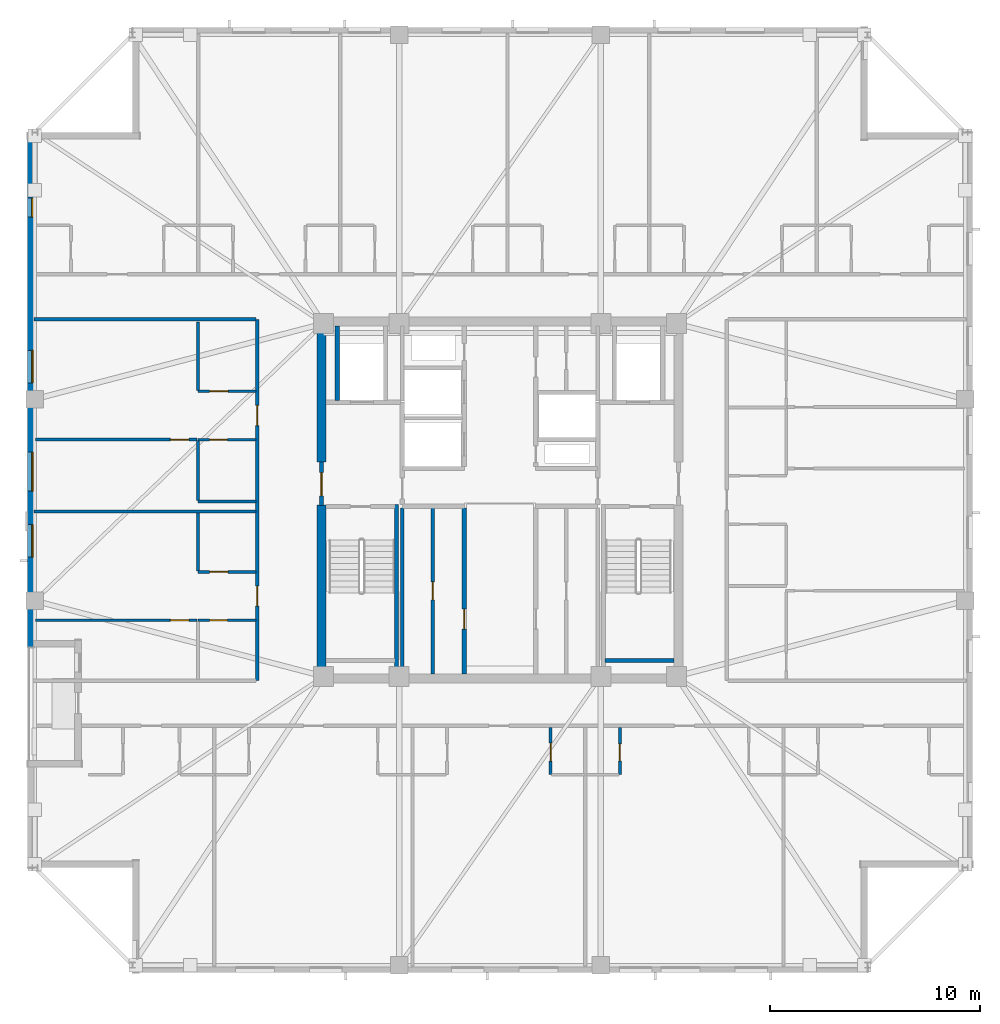
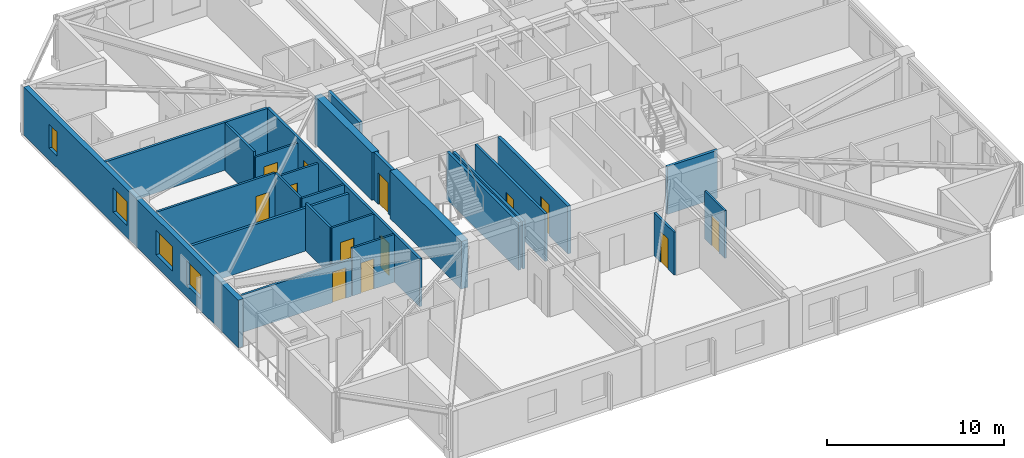
# One storey, part 8 of 17: 25 walls, 13 doors, 4 windows, 17 openings.
"""IFC4 building model written with IfcOpenShell, lengths in metres."""

from ifc_helpers import new_model, si_unit, direction, frame, frame_2d, origin, place, context, subcontext, project, spatial, rectangle, extrude, material, layer, layer_set, type_object, element, fill, save


model = new_model("IFC4")

# Units and contexts
model_context = context("Model", 3, precision=1e-05, world=origin(), true_north=direction((0.0, 1.0)))
body_context = subcontext(model_context, "Body", "Model", "MODEL_VIEW")
ifc_project = project(units=[si_unit("LENGTHUNIT", "METRE"), si_unit("AREAUNIT", "SQUARE_METRE"), si_unit("VOLUMEUNIT", "CUBIC_METRE"), si_unit("PLANEANGLEUNIT", "RADIAN"), si_unit("MASSUNIT", "GRAM", prefix="KILO")], contexts=[model_context])

# Site, building, storey
site_placement = place(None, origin())
site = spatial("IfcSite", under=ifc_project, at=site_placement, CompositionType="ELEMENT")
building_placement = place(site_placement, origin())
building = spatial("IfcBuilding", under=site, at=building_placement, Name="Cairnveth Concourse Tower", CompositionType="ELEMENT")
storey_placement = place(building_placement, frame((0.0, 0.0, 248.0)))
storey = spatial("IfcBuildingStorey", under=building, at=storey_placement, Name="L68", CompositionType="ELEMENT", Elevation=248.0)

# Wall
ifc_material_1 = material(Name="Gypsum Plasterboard Partition", Category="gypsum")
ifc_layer_1 = layer(ifc_material_1, 0.159912109375)
ifc_layer_set_1 = layer_set([ifc_layer_1], Name="Gypsum Plasterboard Partition")
wall_type_1 = type_object("IfcWallType", Name="ACOUSTIC PARTY WALL 180", PredefinedType="PARTITIONING", material=ifc_layer_set_1)
wall_1_placement = place(storey_placement, frame((47.35009765625, 30.7099609375, 0.0), z_axis=(0.0, 0.0, 1.0), x_axis=(0.0, 1.0, 0.0)))
element("IfcWall", 1, at=wall_1_placement, inside=storey, type_object=wall_type_1, Name="Interior Wall IW-L68-025", PredefinedType="PARTITIONING", context=body_context, shape_type="SweptSolid", body=[
    extrude(rectangle(XDim=7.905029296875, YDim=0.159912109375, at=frame_2d((3.95263671875, 0.0))), origin(), (0.0, 0.0, 1.0), 3.2900390625),
])

# Wall, opening, door
wall_2_placement = place(storey_placement, frame((48.800048828125, 30.7099609375, 0.0), z_axis=(0.0, 0.0, 1.0), x_axis=(0.0, 1.0, 0.0)))
wall_2 = element("IfcWall", 2, at=wall_2_placement, inside=storey, type_object=wall_type_1, Name="Interior Wall IW-L68-026", PredefinedType="PARTITIONING", context=body_context, shape_type="SweptSolid", body=[
    extrude(rectangle(XDim=7.905029296875, YDim=0.159912109375, at=frame_2d((3.95263671875, 0.0))), origin(), (0.0, 0.0, 1.0), 3.2900390625),
])
opening_1_placement = place(wall_2_placement, frame((3.5400390625, 0.0, 0.0)))
opening_1 = element("IfcOpeningElement", 3, at=opening_1_placement, cuts=wall_2, Name="Opening ID19", PredefinedType="OPENING", context=body_context, shape_type="SweptSolid", body=[
    extrude(rectangle(XDim=0.85009765625, YDim=2.1201171875, at=frame_2d((0.425048828125, 1.06005859375))), frame((0.0, 0.08984375, 0.0), z_axis=(0.0, -1.0, 0.0), x_axis=(1.0, 0.0, 0.0)), (0.0, 0.0, 1.0), 0.179931640625),
])
ifc_material_2 = material(Name="Steel Grade 350", Category="steel")
door_type_1 = type_object("IfcDoorType", Name="CORE SERVICE DOOR 850X2100", OperationType="NOTDEFINED", PredefinedType="DOOR", material=ifc_material_2)
door_1_placement = place(opening_1_placement, origin())
door_1 = element("IfcDoor", 4, at=door_1_placement, inside=storey, type_object=door_type_1, Name="Inner Store Door L68", OperationType="SINGLE_SWING_RIGHT", OverallHeight=2.1201171875, OverallWidth=0.85009765625, PredefinedType="DOOR", context=body_context, shape_type="SweptSolid", body=[
    extrude(rectangle(XDim=0.85009765625, YDim=2.1201171875, at=frame_2d((0.425048828125, 1.06005859375))), frame((0.0, 0.02490234375, 0.0), z_axis=(0.0, -1.0, 0.0), x_axis=(1.0, 0.0, 0.0)), (0.0, 0.0, 1.0), 0.050048828125),
])
fill(opening_1, door_1)

# Wall, openings, doors
wall_3_placement = place(storey_placement, frame((40.449951171875, 30.39990234375, 0.0), z_axis=(0.0, 0.0, 1.0), x_axis=(0.0, 1.0, 0.0)))
wall_3 = element("IfcWall", 5, at=wall_3_placement, inside=storey, type_object=wall_type_1, Name="Interior Wall IW-L68-038", PredefinedType="PARTITIONING", context=body_context, shape_type="SweptSolid", body=[
    extrude(rectangle(XDim=17.2001953125, YDim=0.159912109375, at=frame_2d((8.60009765625, 0.0))), origin(), (0.0, 0.0, 1.0), 3.2900390625),
])
opening_2_placement = place(wall_3_placement, frame((3.544921875, 0.0, 0.0)))
opening_2 = element("IfcOpeningElement", 6, at=opening_2_placement, cuts=wall_3, Name="Opening ID10", PredefinedType="OPENING", context=body_context, shape_type="SweptSolid", body=[
    extrude(rectangle(XDim=0.9599609375, YDim=2.179931640625, at=frame_2d((0.47998046875, 1.08984375))), frame((0.0, 0.08984375, 0.0), z_axis=(0.0, -1.0, 0.0), x_axis=(1.0, 0.0, 0.0)), (0.0, 0.0, 1.0), 0.179931640625),
])
opening_3_placement = place(wall_3_placement, frame((12.14501953125, 0.0, 0.0)))
opening_3 = element("IfcOpeningElement", 7, at=opening_3_placement, cuts=wall_3, Name="Opening ID10", PredefinedType="OPENING", context=body_context, shape_type="SweptSolid", body=[
    extrude(rectangle(XDim=0.9599609375, YDim=2.179931640625, at=frame_2d((0.47998046875, 1.08984375))), frame((0.0, 0.08984375, 0.0), z_axis=(0.0, -1.0, 0.0), x_axis=(1.0, 0.0, 0.0)), (0.0, 0.0, 1.0), 0.179931640625),
])
ifc_material_3 = material(Name="Solid Core Hardwood Timber Leaf", Category="wood")
door_type_2 = type_object("IfcDoorType", Name="FLAT ENTRANCE DOOR 960X2150", OperationType="NOTDEFINED", PredefinedType="DOOR", material=ifc_material_3)
door_2_placement = place(opening_2_placement, origin())
door_2 = element("IfcDoor", 8, at=door_2_placement, inside=storey, type_object=door_type_2, Name="Apartment L68W1 Entrance Door", OperationType="SINGLE_SWING_LEFT", OverallHeight=2.179931640625, OverallWidth=0.9599609375, PredefinedType="DOOR", context=body_context, shape_type="SweptSolid", body=[
    extrude(rectangle(XDim=0.9599609375, YDim=2.179931640625, at=frame_2d((0.47998046875, 1.08984375))), frame((0.0, 0.02490234375, 0.0), z_axis=(0.0, -1.0, 0.0), x_axis=(1.0, 0.0, 0.0)), (0.0, 0.0, 1.0), 0.050048828125),
])
fill(opening_2, door_2)
door_3_placement = place(opening_3_placement, origin())
door_3 = element("IfcDoor", 9, at=door_3_placement, inside=storey, type_object=door_type_2, Name="Apartment L68W2 Entrance Door", OperationType="SINGLE_SWING_LEFT", OverallHeight=2.179931640625, OverallWidth=0.9599609375, PredefinedType="DOOR", context=body_context, shape_type="SweptSolid", body=[
    extrude(rectangle(XDim=0.9599609375, YDim=2.179931640625, at=frame_2d((0.47998046875, 1.08984375))), frame((0.0, 0.02490234375, 0.0), z_axis=(0.0, -1.0, 0.0), x_axis=(1.0, 0.0, 0.0)), (0.0, 0.0, 1.0), 0.050048828125),
])
fill(opening_3, door_3)

# Walls
wall_4_placement = place(storey_placement, frame((29.804931640625, 47.60009765625, 0.0), z_axis=(0.0, 0.0, 1.0), x_axis=(1.0, 0.0, 0.0)))
element("IfcWall", 10, at=wall_4_placement, inside=storey, type_object=wall_type_1, Name="Interior Wall IW-L68-041", PredefinedType="PARTITIONING", context=body_context, shape_type="SweptSolid", body=[
    extrude(rectangle(XDim=10.580078125, YDim=0.159912109375, at=frame_2d((5.2900390625, 0.0))), origin(), (0.0, 0.0, 1.0), 3.2900390625),
])
wall_5_placement = place(storey_placement, frame((29.804931640625, 38.449951171875, 0.0), z_axis=(0.0, 0.0, 1.0), x_axis=(1.0, 0.0, 0.0)))
element("IfcWall", 11, at=wall_5_placement, inside=storey, type_object=wall_type_1, Name="Interior Wall IW-L68-097", PredefinedType="PARTITIONING", context=body_context, shape_type="SweptSolid", body=[
    extrude(rectangle(XDim=10.565185546875, YDim=0.159912109375, at=frame_2d((5.28271484375, 0.0))), origin(), (0.0, 0.0, 1.0), 2.9580078125),
])
ifc_material_4 = material(Name="Concrete N65 (65 MPa)", Category="concrete")
ifc_layer_2 = layer(ifc_material_4, 0.449951171875)
ifc_layer_set_2 = layer_set([ifc_layer_2], Name="Concrete N65 (65 MPa)")
wall_type_2 = type_object("IfcWallType", Name="CORE SHEAR WALL 450", PredefinedType="SHEAR", material=ifc_layer_set_2)
wall_6_placement = place(storey_placement, frame((43.5, 30.715087890625, 0.0), z_axis=(0.0, 0.0, 1.0), x_axis=(0.0, 1.0, 0.0)))
element("IfcWall", 12, at=wall_6_placement, inside=storey, type_object=wall_type_2, Name="Core West Shear Wall S L68", PredefinedType="SHEAR", context=body_context, shape_type="SweptSolid", body=[
    extrude(rectangle(XDim=8.034912109375, YDim=0.449951171875, at=frame_2d((4.017578125, 0.0))), origin(), (0.0, 0.0, 1.0), 3.2900390625),
])
wall_7_placement = place(storey_placement, frame((43.5, 40.800048828125, 0.0), z_axis=(0.0, 0.0, 1.0), x_axis=(0.0, 1.0, 0.0)))
element("IfcWall", 13, at=wall_7_placement, inside=storey, type_object=wall_type_2, Name="Core West Shear Wall N L68", PredefinedType="SHEAR", context=body_context, shape_type="SweptSolid", body=[
    extrude(rectangle(XDim=6.48486328125, YDim=0.449951171875, at=frame_2d((3.242431640625, 0.0))), origin(), (0.0, 0.0, 1.0), 3.2900390625),
])
ifc_material_5 = material(Name="Concrete N50 (50 MPa)", Category="concrete")
ifc_layer_3 = layer(ifc_material_5, 0.179931640625)
ifc_layer_set_3 = layer_set([ifc_layer_3], Name="Concrete N50 (50 MPa)")
wall_type_3 = type_object("IfcWallType", Name="FIRE SHAFT WALL 180", PredefinedType="SOLIDWALL", material=ifc_layer_set_3)
wall_8_placement = place(storey_placement, frame((47.070068359375, 38.780029296875, 0.0), z_axis=(0.0, 0.0, 1.0), x_axis=(0.0, -1.0, 0.0)))
element("IfcWall", 14, at=wall_8_placement, inside=storey, type_object=wall_type_3, Name="Stair ST-1 Shaft Wall RGHT L68", PredefinedType="SOLIDWALL", context=body_context, shape_type="SweptSolid", body=[
    extrude(rectangle(XDim=8.067138671875, YDim=0.179931640625, at=frame_2d((4.03369140625, 0.0))), origin(), (0.0, 0.0, 1.0), 3.2900390625),
])
wall_9_placement = place(storey_placement, frame((57.0048828125, 31.360107421875, 0.0), z_axis=(0.0, 0.0, 1.0), x_axis=(1.0, 0.0, 0.0)))
element("IfcWall", 15, at=wall_9_placement, inside=storey, type_object=wall_type_3, Name="Stair ST-2 Shaft Wall FAR L68", PredefinedType="SOLIDWALL", context=body_context, shape_type="SweptSolid", body=[
    extrude(rectangle(XDim=3.280029296875, YDim=0.179931640625, at=frame_2d((1.64013671875, 0.0))), origin(), (0.0, 0.0, 1.0), 3.2900390625),
])

# Wall, opening, door
ifc_layer_4 = layer(ifc_material_5, 0.199951171875)
ifc_layer_set_4 = layer_set([ifc_layer_4], Name="Concrete N50 (50 MPa)")
wall_type_4 = type_object("IfcWallType", Name="FIRE SHAFT WALL 200", PredefinedType="SOLIDWALL", material=ifc_layer_set_4)
wall_10_placement = place(storey_placement, frame((50.300048828125, 30.7099609375, 0.0), z_axis=(0.0, 0.0, 1.0), x_axis=(0.0, 1.0, 0.0)))
wall_10 = element("IfcWall", 16, at=wall_10_placement, inside=storey, type_object=wall_type_4, Name="Interior Wall IW-L68-011", PredefinedType="SOLIDWALL", context=body_context, shape_type="SweptSolid", body=[
    extrude(rectangle(XDim=7.905029296875, YDim=0.199951171875, at=frame_2d((3.95263671875, 0.0))), origin(), (0.0, 0.0, 1.0), 3.2900390625),
])
opening_4_placement = place(wall_10_placement, frame((2.139892578125, 0.0, 0.0)))
opening_4 = element("IfcOpeningElement", 17, at=opening_4_placement, cuts=wall_10, Name="Opening ID25", PredefinedType="OPENING", context=body_context, shape_type="SweptSolid", body=[
    extrude(rectangle(XDim=0.949951171875, YDim=2.1201171875, at=frame_2d((0.47509765625, 1.06005859375))), frame((0.0, 0.10986328125, 0.0), z_axis=(0.0, -1.0, 0.0), x_axis=(1.0, 0.0, 0.0)), (0.0, 0.0, 1.0), 0.219970703125),
])
door_type_3 = type_object("IfcDoorType", Name="CORE ACCESSIBLE FIRE DOOR 950X2120", OperationType="NOTDEFINED", PredefinedType="DOOR", material=ifc_material_2)
door_4_placement = place(opening_4_placement, origin())
door_4 = element("IfcDoor", 18, at=door_4_placement, inside=storey, type_object=door_type_3, Name="Accessible WC Suite Door L68", OperationType="SINGLE_SWING_LEFT", OverallHeight=2.1201171875, OverallWidth=0.949951171875, PredefinedType="DOOR", context=body_context, shape_type="SweptSolid", body=[
    extrude(rectangle(XDim=0.949951171875, YDim=2.1201171875, at=frame_2d((0.47509765625, 1.06005859375))), frame((0.0, 0.02490234375, 0.0), z_axis=(0.0, -1.0, 0.0), x_axis=(1.0, 0.0, 0.0)), (0.0, 0.0, 1.0), 0.050048828125),
])
fill(opening_4, door_4)

wall_11_placement = place(storey_placement, frame((43.5, 38.75, 0.0), z_axis=(0.0, 0.0, 1.0), x_axis=(0.0, 1.0, 0.0)))
wall_11 = element("IfcWall", 19, at=wall_11_placement, inside=storey, type_object=wall_type_4, Name="Interior Wall IW-L68-015", PredefinedType="SOLIDWALL", context=body_context, shape_type="SweptSolid", body=[
    extrude(rectangle(XDim=2.050048828125, YDim=0.199951171875, at=frame_2d((1.02490234375, 0.0))), origin(), (0.0, 0.0, 1.0), 3.2900390625),
])
opening_5_placement = place(wall_11_placement, frame((0.449951171875, 0.0, 0.0)))
opening_5 = element("IfcOpeningElement", 20, at=opening_5_placement, cuts=wall_11, Name="Opening ID06", PredefinedType="OPENING", context=body_context, shape_type="SweptSolid", body=[
    extrude(rectangle(XDim=1.10009765625, YDim=2.14990234375, at=frame_2d((0.550048828125, 1.074951171875))), frame((0.0, 0.10986328125, 0.0), z_axis=(0.0, -1.0, 0.0), x_axis=(1.0, 0.0, 0.0)), (0.0, 0.0, 1.0), 0.219970703125),
])
door_type_4 = type_object("IfcDoorType", Name="FIRE CORRIDOR DOOR 1100X2150", OperationType="NOTDEFINED", PredefinedType="DOOR", material=ifc_material_2)
door_5_placement = place(opening_5_placement, origin())
door_5 = element("IfcDoor", 21, at=door_5_placement, inside=storey, type_object=door_type_4, Name="West Wing to FF Lobby Door L68", OperationType="SINGLE_SWING_LEFT", OverallHeight=2.14990234375, OverallWidth=1.10009765625, PredefinedType="DOOR", context=body_context, shape_type="SweptSolid", body=[
    extrude(rectangle(XDim=1.10009765625, YDim=2.14990234375, at=frame_2d((0.550048828125, 1.074951171875))), frame((0.0, 0.02490234375, 0.0), z_axis=(0.0, -1.0, 0.0), x_axis=(1.0, 0.0, 0.0)), (0.0, 0.0, 1.0), 0.050048828125),
])
fill(opening_5, door_5)

# Wall
wall_12_placement = place(storey_placement, frame((44.25, 43.735107421875, 0.0), z_axis=(0.0, 0.0, 1.0), x_axis=(0.0, 1.0, 0.0)))
element("IfcWall", 22, at=wall_12_placement, inside=storey, type_object=wall_type_4, Name="Interior Wall IW-L68-019", PredefinedType="SOLIDWALL", context=body_context, shape_type="SweptSolid", body=[
    extrude(rectangle(XDim=3.554931640625, YDim=0.199951171875, at=frame_2d((1.77734375, 0.0))), origin(), (0.0, 0.0, 1.0), 3.2900390625),
])

# Wall, opening, door
ifc_layer_5 = layer(ifc_material_1, 0.139892578125)
ifc_layer_set_5 = layer_set([ifc_layer_5], Name="Gypsum Plasterboard Partition")
wall_type_5 = type_object("IfcWallType", Name="GYPSUM STUD PARTITION 140", PredefinedType="PARTITIONING", material=ifc_layer_set_5)
wall_13_placement = place(storey_placement, frame((29.8798828125, 33.27490234375, 0.0), z_axis=(0.0, 0.0, 1.0), x_axis=(1.0, 0.0, 0.0)))
wall_13 = element("IfcWall", 23, at=wall_13_placement, inside=storey, type_object=wall_type_5, Name="Interior Wall IW-L68-102", PredefinedType="PARTITIONING", context=body_context, shape_type="SweptSolid", body=[
    extrude(rectangle(XDim=7.690185546875, YDim=0.139892578125, at=frame_2d((3.84521484375, 0.0))), origin(), (0.0, 0.0, 1.0), 2.572998046875),
])
opening_6_placement = place(wall_13_placement, frame((6.429931640625, 0.0, 0.0)))
opening_6 = element("IfcOpeningElement", 24, at=opening_6_placement, cuts=wall_13, Name="Opening ID18", PredefinedType="OPENING", context=body_context, shape_type="SweptSolid", body=[
    extrude(rectangle(XDim=0.8798828125, YDim=2.10009765625, at=frame_2d((0.43994140625, 1.050048828125))), frame((0.0, 0.079833984375, 0.0), z_axis=(0.0, -1.0, 0.0), x_axis=(1.0, 0.0, 0.0)), (0.0, 0.0, 1.0), 0.159912109375),
])
door_type_5 = type_object("IfcDoorType", Name="INTERIOR SINGLE DOOR 880X2100", OperationType="NOTDEFINED", PredefinedType="DOOR", material=ifc_material_3)
door_6_placement = place(opening_6_placement, origin())
door_6 = element("IfcDoor", 25, at=door_6_placement, inside=storey, type_object=door_type_5, Name="L68W1 Master Bedroom Door", OperationType="SINGLE_SWING_RIGHT", OverallHeight=2.10009765625, OverallWidth=0.8798828125, PredefinedType="DOOR", context=body_context, shape_type="SweptSolid", body=[
    extrude(rectangle(XDim=0.8798828125, YDim=2.10009765625, at=frame_2d((0.43994140625, 1.050048828125))), frame((0.0, 0.02490234375, 0.0), z_axis=(0.0, -1.0, 0.0), x_axis=(1.0, 0.0, 0.0)), (0.0, 0.0, 1.0), 0.050048828125),
])
fill(opening_6, door_6)

wall_14_placement = place(storey_placement, frame((29.8798828125, 41.875, 0.0), z_axis=(0.0, 0.0, 1.0), x_axis=(1.0, 0.0, 0.0)))
wall_14 = element("IfcWall", 26, at=wall_14_placement, inside=storey, type_object=wall_type_5, Name="Interior Wall IW-L68-108", PredefinedType="PARTITIONING", context=body_context, shape_type="SweptSolid", body=[
    extrude(rectangle(XDim=7.690185546875, YDim=0.139892578125, at=frame_2d((3.84521484375, 0.0))), origin(), (0.0, 0.0, 1.0), 3.2900390625),
])
opening_7_placement = place(wall_14_placement, frame((6.429931640625, 0.0, 0.0)))
opening_7 = element("IfcOpeningElement", 27, at=opening_7_placement, cuts=wall_14, Name="Opening ID18", PredefinedType="OPENING", context=body_context, shape_type="SweptSolid", body=[
    extrude(rectangle(XDim=0.8798828125, YDim=2.10009765625, at=frame_2d((0.43994140625, 1.050048828125))), frame((0.0, 0.079833984375, 0.0), z_axis=(0.0, -1.0, 0.0), x_axis=(1.0, 0.0, 0.0)), (0.0, 0.0, 1.0), 0.159912109375),
])
door_7_placement = place(opening_7_placement, origin())
door_7 = element("IfcDoor", 28, at=door_7_placement, inside=storey, type_object=door_type_5, Name="L68W2 Master Bedroom Door", OperationType="SINGLE_SWING_RIGHT", OverallHeight=2.10009765625, OverallWidth=0.8798828125, PredefinedType="DOOR", context=body_context, shape_type="SweptSolid", body=[
    extrude(rectangle(XDim=0.8798828125, YDim=2.10009765625, at=frame_2d((0.43994140625, 1.050048828125))), frame((0.0, 0.02490234375, 0.0), z_axis=(0.0, -1.0, 0.0), x_axis=(1.0, 0.0, 0.0)), (0.0, 0.0, 1.0), 0.050048828125),
])
fill(opening_7, door_7)

ifc_layer_6 = layer(ifc_material_1, 0.1298828125)
ifc_layer_set_6 = layer_set([ifc_layer_6], Name="Gypsum Plasterboard Partition")
wall_type_6 = type_object("IfcWallType", Name="WET AREA PARTITION 140", PredefinedType="PLUMBINGWALL", material=ifc_layer_set_6)
wall_15_placement = place(storey_placement, frame((54.408447265625, 25.922607421875, 0.0), z_axis=(0.0, 0.0, 1.0), x_axis=(0.0, 1.0, 0.0)))
wall_15 = element("IfcWall", 29, at=wall_15_placement, inside=storey, type_object=wall_type_6, Name="Interior Wall IW-L68-056", PredefinedType="PLUMBINGWALL", context=body_context, shape_type="SweptSolid", body=[
    extrude(rectangle(XDim=2.25, YDim=0.1298828125, at=frame_2d((1.125, 0.0))), origin(), (0.0, 0.0, 1.0), 2.9580078125),
])
opening_8_placement = place(wall_15_placement, frame((0.64990234375, 0.0, 0.0)))
opening_8 = element("IfcOpeningElement", 30, at=opening_8_placement, cuts=wall_15, Name="Opening ID20", PredefinedType="OPENING", context=body_context, shape_type="SweptSolid", body=[
    extrude(rectangle(XDim=0.85009765625, YDim=2.10009765625, at=frame_2d((0.425048828125, 1.050048828125))), frame((0.0, 0.074951171875, 0.0), z_axis=(0.0, -1.0, 0.0), x_axis=(1.0, 0.0, 0.0)), (0.0, 0.0, 1.0), 0.14990234375),
])
door_type_6 = type_object("IfcDoorType", Name="INTERIOR SINGLE DOOR 850X2100", OperationType="NOTDEFINED", PredefinedType="DOOR", material=ifc_material_3)
door_8_placement = place(opening_8_placement, origin())
door_8 = element("IfcDoor", 31, at=door_8_placement, inside=storey, type_object=door_type_6, Name="L68STS3 Kitchen Door", OperationType="SINGLE_SWING_RIGHT", OverallHeight=2.10009765625, OverallWidth=0.85009765625, PredefinedType="DOOR", context=body_context, shape_type="SweptSolid", body=[
    extrude(rectangle(XDim=0.85009765625, YDim=2.10009765625, at=frame_2d((0.425048828125, 1.050048828125))), frame((0.0, 0.02490234375, 0.0), z_axis=(0.0, -1.0, 0.0), x_axis=(1.0, 0.0, 0.0)), (0.0, 0.0, 1.0), 0.050048828125),
])
fill(opening_8, door_8)

wall_16_placement = place(storey_placement, frame((57.70849609375, 25.922607421875, 0.0), z_axis=(0.0, 0.0, 1.0), x_axis=(0.0, 1.0, 0.0)))
wall_16 = element("IfcWall", 32, at=wall_16_placement, inside=storey, type_object=wall_type_6, Name="Interior Wall IW-L68-059", PredefinedType="PLUMBINGWALL", context=body_context, shape_type="SweptSolid", body=[
    extrude(rectangle(XDim=2.25, YDim=0.1298828125, at=frame_2d((1.125, 0.0))), origin(), (0.0, 0.0, 1.0), 3.2900390625),
])
opening_9_placement = place(wall_16_placement, frame((0.64990234375, 0.0, 0.0)))
opening_9 = element("IfcOpeningElement", 33, at=opening_9_placement, cuts=wall_16, Name="Opening ID22", PredefinedType="OPENING", context=body_context, shape_type="SweptSolid", body=[
    extrude(rectangle(XDim=0.820068359375, YDim=2.10009765625, at=frame_2d((0.41015625, 1.050048828125))), frame((0.0, 0.074951171875, 0.0), z_axis=(0.0, -1.0, 0.0), x_axis=(1.0, 0.0, 0.0)), (0.0, 0.0, 1.0), 0.14990234375),
])
door_type_7 = type_object("IfcDoorType", Name="INTERIOR WC DOOR 820X2100", OperationType="NOTDEFINED", PredefinedType="DOOR", material=ifc_material_3)
door_9_placement = place(opening_9_placement, origin())
door_9 = element("IfcDoor", 34, at=door_9_placement, inside=storey, type_object=door_type_7, Name="L68STS4 Bathroom Door", OperationType="SINGLE_SWING_RIGHT", OverallHeight=2.10009765625, OverallWidth=0.820068359375, PredefinedType="DOOR", context=body_context, shape_type="SweptSolid", body=[
    extrude(rectangle(XDim=0.820068359375, YDim=2.10009765625, at=frame_2d((0.41015625, 1.050048828125))), frame((0.0, 0.02490234375, 0.0), z_axis=(0.0, -1.0, 0.0), x_axis=(1.0, 0.0, 0.0)), (0.0, 0.0, 1.0), 0.050048828125),
])
fill(opening_9, door_9)

wall_17_placement = place(storey_placement, frame((37.6201171875, 33.27490234375, 0.0), z_axis=(0.0, 0.0, 1.0), x_axis=(1.0, 0.0, 0.0)))
wall_17 = element("IfcWall", 35, at=wall_17_placement, inside=storey, type_object=wall_type_6, Name="Interior Wall IW-L68-098", PredefinedType="PLUMBINGWALL", context=body_context, shape_type="SweptSolid", body=[
    extrude(rectangle(XDim=2.75, YDim=0.1298828125, at=frame_2d((1.375, 0.0))), origin(), (0.0, 0.0, 1.0), 3.2900390625),
])
opening_10_placement = place(wall_17_placement, frame((0.550048828125, 0.0, 0.0)))
opening_10 = element("IfcOpeningElement", 36, at=opening_10_placement, cuts=wall_17, Name="Opening ID21", PredefinedType="OPENING", context=body_context, shape_type="SweptSolid", body=[
    extrude(rectangle(XDim=0.85009765625, YDim=2.080078125, at=frame_2d((0.425048828125, 1.0400390625))), frame((0.0, 0.074951171875, 0.0), z_axis=(0.0, -1.0, 0.0), x_axis=(1.0, 0.0, 0.0)), (0.0, 0.0, 1.0), 0.14990234375),
])
door_type_8 = type_object("IfcDoorType", Name="INTERIOR WC DOOR 850X2100", OperationType="NOTDEFINED", PredefinedType="DOOR", material=ifc_material_3)
door_10_placement = place(opening_10_placement, origin())
door_10 = element("IfcDoor", 37, at=door_10_placement, inside=storey, type_object=door_type_8, Name="L68W1 Bathroom Door", OperationType="SINGLE_SWING_RIGHT", OverallHeight=2.080078125, OverallWidth=0.85009765625, PredefinedType="DOOR", context=body_context, shape_type="SweptSolid", body=[
    extrude(rectangle(XDim=0.85009765625, YDim=2.080078125, at=frame_2d((0.425048828125, 1.0400390625))), frame((0.0, 0.02490234375, 0.0), z_axis=(0.0, -1.0, 0.0), x_axis=(1.0, 0.0, 0.0)), (0.0, 0.0, 1.0), 0.050048828125),
])
fill(opening_10, door_10)

wall_18_placement = place(storey_placement, frame((37.6201171875, 35.574951171875, 0.0), z_axis=(0.0, 0.0, 1.0), x_axis=(1.0, 0.0, 0.0)))
wall_18 = element("IfcWall", 38, at=wall_18_placement, inside=storey, type_object=wall_type_6, Name="Interior Wall IW-L68-100", PredefinedType="PLUMBINGWALL", context=body_context, shape_type="SweptSolid", body=[
    extrude(rectangle(XDim=2.75, YDim=0.1298828125, at=frame_2d((1.375, 0.0))), origin(), (0.0, 0.0, 1.0), 3.2900390625),
])
opening_11_placement = place(wall_18_placement, frame((0.550048828125, 0.0, 0.0)))
opening_11 = element("IfcOpeningElement", 39, at=opening_11_placement, cuts=wall_18, Name="Opening ID18", PredefinedType="OPENING", context=body_context, shape_type="SweptSolid", body=[
    extrude(rectangle(XDim=0.8798828125, YDim=2.10009765625, at=frame_2d((0.43994140625, 1.050048828125))), frame((0.0, 0.074951171875, 0.0), z_axis=(0.0, -1.0, 0.0), x_axis=(1.0, 0.0, 0.0)), (0.0, 0.0, 1.0), 0.14990234375),
])
door_11_placement = place(opening_11_placement, origin())
door_11 = element("IfcDoor", 40, at=door_11_placement, inside=storey, type_object=door_type_5, Name="L68W1 Kitchen Door", OperationType="SINGLE_SWING_LEFT", OverallHeight=2.10009765625, OverallWidth=0.8798828125, PredefinedType="DOOR", context=body_context, shape_type="SweptSolid", body=[
    extrude(rectangle(XDim=0.8798828125, YDim=2.10009765625, at=frame_2d((0.43994140625, 1.050048828125))), frame((0.0, 0.02490234375, 0.0), z_axis=(0.0, -1.0, 0.0), x_axis=(1.0, 0.0, 0.0)), (0.0, 0.0, 1.0), 0.050048828125),
])
fill(opening_11, door_11)

# Walls
wall_19_placement = place(storey_placement, frame((37.6201171875, 35.625, 0.0), z_axis=(0.0, 0.0, 1.0), x_axis=(0.0, 1.0, 0.0)))
element("IfcWall", 41, at=wall_19_placement, inside=storey, type_object=wall_type_6, Name="Interior Wall IW-L68-101", PredefinedType="PLUMBINGWALL", context=body_context, shape_type="SweptSolid", body=[
    extrude(rectangle(XDim=2.760009765625, YDim=0.1298828125, at=frame_2d((1.3798828125, 0.0))), origin(), (0.0, 0.0, 1.0), 3.2900390625),
])
wall_20_placement = place(storey_placement, frame((37.6201171875, 38.925048828125, 0.0), z_axis=(0.0, 0.0, 1.0), x_axis=(1.0, 0.0, 0.0)))
element("IfcWall", 42, at=wall_20_placement, inside=storey, type_object=wall_type_6, Name="Interior Wall IW-L68-103", PredefinedType="PLUMBINGWALL", context=body_context, shape_type="SweptSolid", body=[
    extrude(rectangle(XDim=2.75, YDim=0.1298828125, at=frame_2d((1.375, 0.0))), origin(), (0.0, 0.0, 1.0), 3.2900390625),
])

# Wall, opening, door
wall_21_placement = place(storey_placement, frame((37.6201171875, 41.875, 0.0), z_axis=(0.0, 0.0, 1.0), x_axis=(1.0, 0.0, 0.0)))
wall_21 = element("IfcWall", 43, at=wall_21_placement, inside=storey, type_object=wall_type_6, Name="Interior Wall IW-L68-104", PredefinedType="PLUMBINGWALL", context=body_context, shape_type="SweptSolid", body=[
    extrude(rectangle(XDim=2.75, YDim=0.1298828125, at=frame_2d((1.375, 0.0))), origin(), (0.0, 0.0, 1.0), 2.9580078125),
])
opening_12_placement = place(wall_21_placement, frame((0.550048828125, 0.0, 0.0)))
opening_12 = element("IfcOpeningElement", 44, at=opening_12_placement, cuts=wall_21, Name="Opening ID21", PredefinedType="OPENING", context=body_context, shape_type="SweptSolid", body=[
    extrude(rectangle(XDim=0.85009765625, YDim=2.080078125, at=frame_2d((0.425048828125, 1.0400390625))), frame((0.0, 0.074951171875, 0.0), z_axis=(0.0, -1.0, 0.0), x_axis=(1.0, 0.0, 0.0)), (0.0, 0.0, 1.0), 0.14990234375),
])
door_12_placement = place(opening_12_placement, origin())
door_12 = element("IfcDoor", 45, at=door_12_placement, inside=storey, type_object=door_type_8, Name="L68W2 Bathroom Door", OperationType="SINGLE_SWING_RIGHT", OverallHeight=2.080078125, OverallWidth=0.85009765625, PredefinedType="DOOR", context=body_context, shape_type="SweptSolid", body=[
    extrude(rectangle(XDim=0.85009765625, YDim=2.080078125, at=frame_2d((0.425048828125, 1.0400390625))), frame((0.0, 0.02490234375, 0.0), z_axis=(0.0, -1.0, 0.0), x_axis=(1.0, 0.0, 0.0)), (0.0, 0.0, 1.0), 0.050048828125),
])
fill(opening_12, door_12)

# Wall
wall_22_placement = place(storey_placement, frame((37.6201171875, 38.97509765625, 0.0), z_axis=(0.0, 0.0, 1.0), x_axis=(0.0, 1.0, 0.0)))
element("IfcWall", 46, at=wall_22_placement, inside=storey, type_object=wall_type_6, Name="Interior Wall IW-L68-105", PredefinedType="PLUMBINGWALL", context=body_context, shape_type="SweptSolid", body=[
    extrude(rectangle(XDim=2.849853515625, YDim=0.1298828125, at=frame_2d((1.4248046875, 0.0))), origin(), (0.0, 0.0, 1.0), 3.2900390625),
])

# Wall, opening, door
wall_23_placement = place(storey_placement, frame((37.6201171875, 44.175048828125, 0.0), z_axis=(0.0, 0.0, 1.0), x_axis=(1.0, 0.0, 0.0)))
wall_23 = element("IfcWall", 47, at=wall_23_placement, inside=storey, type_object=wall_type_6, Name="Interior Wall IW-L68-106", PredefinedType="PLUMBINGWALL", context=body_context, shape_type="SweptSolid", body=[
    extrude(rectangle(XDim=2.75, YDim=0.1298828125, at=frame_2d((1.375, 0.0))), origin(), (0.0, 0.0, 1.0), 2.9580078125),
])
opening_13_placement = place(wall_23_placement, frame((0.550048828125, 0.0, 0.0)))
opening_13 = element("IfcOpeningElement", 48, at=opening_13_placement, cuts=wall_23, Name="Opening ID18", PredefinedType="OPENING", context=body_context, shape_type="SweptSolid", body=[
    extrude(rectangle(XDim=0.8798828125, YDim=2.10009765625, at=frame_2d((0.43994140625, 1.050048828125))), frame((0.0, 0.074951171875, 0.0), z_axis=(0.0, -1.0, 0.0), x_axis=(1.0, 0.0, 0.0)), (0.0, 0.0, 1.0), 0.14990234375),
])
door_13_placement = place(opening_13_placement, origin())
door_13 = element("IfcDoor", 49, at=door_13_placement, inside=storey, type_object=door_type_5, Name="L68W2 Kitchen Door", OperationType="SINGLE_SWING_LEFT", OverallHeight=2.10009765625, OverallWidth=0.8798828125, PredefinedType="DOOR", context=body_context, shape_type="SweptSolid", body=[
    extrude(rectangle(XDim=0.8798828125, YDim=2.10009765625, at=frame_2d((0.43994140625, 1.050048828125))), frame((0.0, 0.02490234375, 0.0), z_axis=(0.0, -1.0, 0.0), x_axis=(1.0, 0.0, 0.0)), (0.0, 0.0, 1.0), 0.050048828125),
])
fill(opening_13, door_13)

# Wall
wall_24_placement = place(storey_placement, frame((37.6201171875, 44.22509765625, 0.0), z_axis=(0.0, 0.0, 1.0), x_axis=(0.0, 1.0, 0.0)))
element("IfcWall", 50, at=wall_24_placement, inside=storey, type_object=wall_type_6, Name="Interior Wall IW-L68-107", PredefinedType="PLUMBINGWALL", context=body_context, shape_type="SweptSolid", body=[
    extrude(rectangle(XDim=3.239990234375, YDim=0.1298828125, at=frame_2d((1.6201171875, 0.0))), origin(), (0.0, 0.0, 1.0), 3.2900390625),
])

# Wall, openings, windows
ifc_material_6 = material(Name="Melbourne Buff Fired Clay Brick Masonry", Category="masonry")
ifc_layer_7 = layer(ifc_material_6, 0.320068359375)
ifc_layer_set_7 = layer_set([ifc_layer_7], Name="Melbourne Buff Fired Clay Brick Masonry")
wall_type_7 = type_object("IfcWallType", Name="ZONE 3 BRICK PIER SPANDREL WALL 320", PredefinedType="SOLIDWALL", material=ifc_layer_set_7)
wall_25_placement = place(storey_placement, frame((29.659912109375, 32.0, 0.0), z_axis=(0.0, 0.0, 1.0), x_axis=(0.0, 1.0, 0.0)))
wall_25 = element("IfcWall", 51, at=wall_25_placement, inside=storey, type_object=wall_type_7, Name="Exterior Wall EW-L68-S00", PredefinedType="SOLIDWALL", context=body_context, shape_type="SweptSolid", body=[
    extrude(rectangle(XDim=24.201904296875, YDim=0.320068359375, at=frame_2d((12.10107421875, 0.0))), origin(), (0.0, 0.0, 1.0), 3.2900390625),
])
opening_14_placement = place(wall_25_placement, frame((4.275146484375, 0.0, 0.800048828125)))
opening_14 = element("IfcOpeningElement", 52, at=opening_14_placement, cuts=wall_25, Name="Opening W07", PredefinedType="OPENING", context=body_context, shape_type="SweptSolid", body=[
    extrude(rectangle(XDim=1.550048828125, YDim=1.677978515625, at=frame_2d((0.77490234375, 0.8388671875))), frame((0.0, 0.169921875, 0.0), z_axis=(0.0, -1.0, 0.0), x_axis=(1.0, 0.0, 0.0)), (0.0, 0.0, 1.0), 0.340087890625),
])
opening_15_placement = place(wall_25_placement, frame((7.425537109375, 0.0, 0.800048828125)))
opening_15 = element("IfcOpeningElement", 53, at=opening_15_placement, cuts=wall_25, Name="Opening W08", PredefinedType="OPENING", context=body_context, shape_type="SweptSolid", body=[
    extrude(rectangle(XDim=1.85009765625, YDim=1.677978515625, at=frame_2d((0.925048828125, 0.8388671875))), frame((0.0, 0.169921875, 0.0), z_axis=(0.0, -1.0, 0.0), x_axis=(1.0, 0.0, 0.0)), (0.0, 0.0, 1.0), 0.340087890625),
])
opening_16_placement = place(wall_25_placement, frame((12.575927734375, 0.0, 0.800048828125)))
opening_16 = element("IfcOpeningElement", 54, at=opening_16_placement, cuts=wall_25, Name="Opening W07", PredefinedType="OPENING", context=body_context, shape_type="SweptSolid", body=[
    extrude(rectangle(XDim=1.550048828125, YDim=1.677978515625, at=frame_2d((0.77490234375, 0.8388671875))), frame((0.0, 0.169921875, 0.0), z_axis=(0.0, -1.0, 0.0), x_axis=(1.0, 0.0, 0.0)), (0.0, 0.0, 1.0), 0.340087890625),
])
opening_17_placement = place(wall_25_placement, frame((20.469970703125, 0.0, 0.800048828125)))
opening_17 = element("IfcOpeningElement", 55, at=opening_17_placement, cuts=wall_25, Name="Opening W13", PredefinedType="OPENING", context=body_context, shape_type="SweptSolid", body=[
    extrude(rectangle(XDim=0.89990234375, YDim=1.677978515625, at=frame_2d((0.449951171875, 0.8388671875))), frame((0.0, 0.169921875, 0.0), z_axis=(0.0, -1.0, 0.0), x_axis=(1.0, 0.0, 0.0)), (0.0, 0.0, 1.0), 0.340087890625),
])
ifc_material_7 = material(Name="Double Glazed Low-E Clear Glass", Category="glass")
window_type_1 = type_object("IfcWindowType", Name="DEEP-SET APARTMENT LIVING WINDOW 1850X1850", PartitioningType="DOUBLE_PANEL_VERTICAL", PredefinedType="WINDOW", material=ifc_material_7)
window_1_placement = place(opening_15_placement, origin())
window_1 = element("IfcWindow", 56, at=window_1_placement, inside=storey, type_object=window_type_1, Name="Gothic Lancet Window L68-0-2", OverallHeight=1.677978515625, OverallWidth=1.85009765625, PartitioningType="SINGLE_PANEL", PredefinedType="WINDOW", context=body_context, shape_type="SweptSolid", body=[
    extrude(rectangle(XDim=1.85009765625, YDim=1.677978515625, at=frame_2d((0.925048828125, 0.8388671875))), frame((0.0, -0.050048828125, 0.0), z_axis=(0.0, -1.0, 0.0), x_axis=(1.0, 0.0, 0.0)), (0.0, 0.0, 1.0), 0.06005859375),
])
fill(opening_15, window_1)
window_type_2 = type_object("IfcWindowType", Name="DEEP-SET APARTMENT WINDOW 1550X1800", PartitioningType="DOUBLE_PANEL_VERTICAL", PredefinedType="WINDOW", material=ifc_material_7)
window_2_placement = place(opening_14_placement, origin())
window_2 = element("IfcWindow", 57, at=window_2_placement, inside=storey, type_object=window_type_2, Name="Gothic Lancet Window L68-0-1", OverallHeight=1.677978515625, OverallWidth=1.550048828125, PartitioningType="SINGLE_PANEL", PredefinedType="WINDOW", context=body_context, shape_type="SweptSolid", body=[
    extrude(rectangle(XDim=1.550048828125, YDim=1.677978515625, at=frame_2d((0.77490234375, 0.8388671875))), frame((0.0, -0.050048828125, 0.0), z_axis=(0.0, -1.0, 0.0), x_axis=(1.0, 0.0, 0.0)), (0.0, 0.0, 1.0), 0.06005859375),
])
fill(opening_14, window_2)
window_3_placement = place(opening_16_placement, origin())
window_3 = element("IfcWindow", 58, at=window_3_placement, inside=storey, type_object=window_type_2, Name="Gothic Lancet Window L68-0-3", OverallHeight=1.677978515625, OverallWidth=1.550048828125, PartitioningType="SINGLE_PANEL", PredefinedType="WINDOW", context=body_context, shape_type="SweptSolid", body=[
    extrude(rectangle(XDim=1.550048828125, YDim=1.677978515625, at=frame_2d((0.77490234375, 0.8388671875))), frame((0.0, -0.050048828125, 0.0), z_axis=(0.0, -1.0, 0.0), x_axis=(1.0, 0.0, 0.0)), (0.0, 0.0, 1.0), 0.06005859375),
])
fill(opening_16, window_3)
window_type_3 = type_object("IfcWindowType", Name="DEEP-SET BEDROOM LANCET WINDOW 900X1750", PartitioningType="DOUBLE_PANEL_VERTICAL", PredefinedType="WINDOW", material=ifc_material_7)
window_4_placement = place(opening_17_placement, origin())
window_4 = element("IfcWindow", 59, at=window_4_placement, inside=storey, type_object=window_type_3, Name="Dwelling Lancet Window L68-DW3", OverallHeight=1.677978515625, OverallWidth=0.89990234375, PartitioningType="SINGLE_PANEL", PredefinedType="WINDOW", context=body_context, shape_type="SweptSolid", body=[
    extrude(rectangle(XDim=0.89990234375, YDim=1.677978515625, at=frame_2d((0.449951171875, 0.8388671875))), frame((0.0, -0.0400390625, 0.0), z_axis=(0.0, -1.0, 0.0), x_axis=(1.0, 0.0, 0.0)), (0.0, 0.0, 1.0), 0.06005859375),
])
fill(opening_17, window_4)

save(model, "model.ifc")
